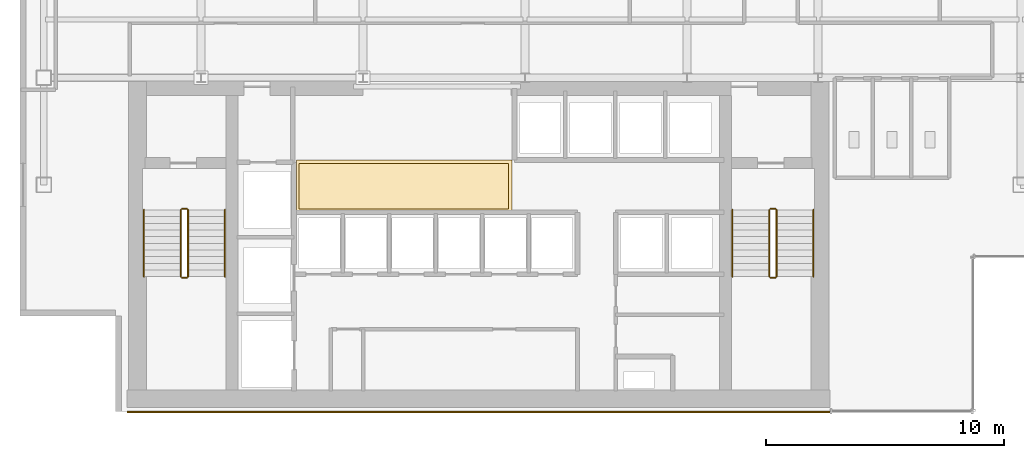
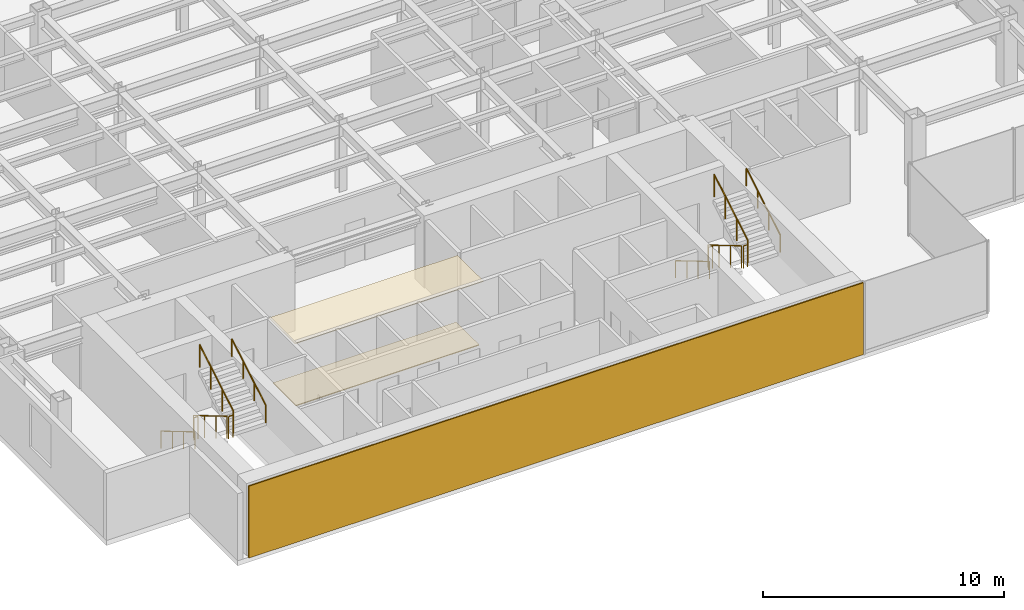
# One storey, part 17 of 19: 12 railings, 3 coverings.
"""IFC4 building model written with IfcOpenShell, lengths in metres."""

from ifc_helpers import new_model, si_unit, derived_unit, direction, frame, origin, origin_2d, place, context, subcontext, project, spatial, polyline, rectangle, circle, outline, extrude, source, transform, mapped, material, layer, layer_set, type_object, element, save


model = new_model("IFC4")

# Units and contexts
model_context = context("Model", 3, precision=1e-05, world=origin(), true_north=direction((0.0, 1.0)))
body_context = subcontext(model_context, "Body", "Model", "MODEL_VIEW")
ifc_project = project(units=[si_unit("LENGTHUNIT", "METRE"), si_unit("AREAUNIT", "SQUARE_METRE"), si_unit("VOLUMEUNIT", "CUBIC_METRE"), si_unit("PLANEANGLEUNIT", "RADIAN"), si_unit("MASSUNIT", "GRAM", prefix="KILO"), derived_unit("THERMALTRANSMITTANCEUNIT", [(si_unit("POWERUNIT", "WATT"), 1), (si_unit("LENGTHUNIT", "METRE"), -2), (si_unit("THERMODYNAMICTEMPERATUREUNIT", "KELVIN"), -1)])], contexts=[model_context])

# Site, building, storey
site_placement = place(None, origin())
site = spatial("IfcSite", under=ifc_project, at=site_placement, CompositionType="ELEMENT")
building_placement = place(site_placement, origin())
building = spatial("IfcBuilding", under=site, at=building_placement, Name="Skarnbrae Concourse Arena and Tower", CompositionType="ELEMENT")
storey_placement = place(building_placement, frame((0.0, 0.0, 180.75)))
storey = spatial("IfcBuildingStorey", under=building, at=storey_placement, Name="L46", CompositionType="ELEMENT", Elevation=180.75)

# Coverings
ifc_material_1 = material(Name="Mineral fibre acoustic ceiling tile", Category="other")
ifc_layer_1 = layer(ifc_material_1, 0.0400390625)
ifc_layer_set_1 = layer_set([ifc_layer_1], Name="Mineral fibre acoustic ceiling tile")
covering_type_1 = type_object("IfcCoveringType", Name="COV-CEIL-ACOUSTIC", PredefinedType="CEILING", material=ifc_layer_set_1)
covering_1_placement = place(storey_placement, frame((0.0, 0.0, 3.239990234375)))
element("IfcCovering", 1, at=covering_1_placement, inside=storey, type_object=covering_type_1, Name="L46 Lift lobby acoustic ceiling", PredefinedType="CEILING", context=body_context, shape_type="SweptSolid", body=[
    extrude(outline(polyline([(11.60009765625, 8.39990234375), (20.64990234375, 8.39990234375), (20.64990234375, 10.550048828125), (11.60009765625, 10.550048828125), (11.60009765625, 8.39990234375)])), origin(), (0.0, 0.0, 1.0), 0.0400390625),
])
ifc_material_2 = material(Name="Polished granite terrazzo flooring", Category="masonry")
ifc_layer_2 = layer(ifc_material_2, 0.0400390625)
ifc_layer_set_2 = layer_set([ifc_layer_2], Name="Polished granite terrazzo flooring")
covering_type_2 = type_object("IfcCoveringType", Name="COV-FLOOR-TERRAZZO", PredefinedType="FLOORING", material=ifc_layer_set_2)
covering_2_placement = place(storey_placement, origin())
element("IfcCovering", 2, at=covering_2_placement, inside=storey, type_object=covering_type_2, Name="L46 Lift lobby terrazzo flooring", PredefinedType="FLOORING", context=body_context, shape_type="SweptSolid", body=[
    extrude(outline(polyline([(11.699951171875, 8.5), (20.5, 8.5), (20.5, 10.39990234375), (11.699951171875, 10.39990234375), (11.699951171875, 8.5)])), origin(), (0.0, 0.0, 1.0), 0.0400390625),
])

# Railings
ifc_material_3 = material(Name="Steel CSA G40.21 350W", Category="steel")
railing_type_1 = type_object("IfcRailingType", Name="RAIL-HANDRAIL-900", PredefinedType="HANDRAIL", material=ifc_material_3)
railing_1_placement = place(storey_placement, frame((5.199951171875, 8.449951171875, 0.166015625)))
element("IfcRailing", 3, at=railing_1_placement, inside=storey, type_object=railing_type_1, Name="L46 ST-1 stair handrail 1", PredefinedType="HANDRAIL", context=body_context, shape_type="SweptSolid", body=[
    extrude(circle(Radius=0.02392578125, at=origin_2d()), frame((0.0, 0.0, 0.8759765625), z_axis=(0.0, -0.860339051648, 0.50972219513), x_axis=(1.0, 0.0, 0.0)), (0.0, 0.0, 1.0), 3.254638671875),
    extrude(circle(Radius=0.02099609375, at=origin_2d()), origin(), (0.0, 0.0, 1.0), 0.851806640625),
    extrude(circle(Radius=0.02099609375, at=origin_2d()), frame((0.0, -0.933349609375, 0.552978515625)), (0.0, 0.0, 1.0), 0.851806640625),
    extrude(circle(Radius=0.02099609375, at=origin_2d()), frame((0.0, -1.86669921875, 1.10595703125)), (0.0, 0.0, 1.0), 0.851806640625),
    extrude(circle(Radius=0.02099609375, at=origin_2d()), frame((0.0, -2.800048828125, 1.658935546875)), (0.0, 0.0, 1.0), 0.851806640625),
])
railing_2_placement = place(storey_placement, frame((8.60009765625, 5.64990234375, 1.990966796875)))
element("IfcRailing", 4, at=railing_2_placement, inside=storey, type_object=railing_type_1, Name="L46 ST-1 stair handrail 2", PredefinedType="HANDRAIL", context=body_context, shape_type="SweptSolid", body=[
    extrude(circle(Radius=0.02392578125, at=origin_2d()), frame((0.0, 0.0, 0.8759765625), z_axis=(0.0, 0.860339051648, 0.50972219513), x_axis=(-1.0, 0.0, 0.0)), (0.0, 0.0, 1.0), 3.254638671875),
    extrude(circle(Radius=0.02099609375, at=origin_2d()), origin(), (0.0, 0.0, 1.0), 0.851806640625),
    extrude(circle(Radius=0.02099609375, at=origin_2d()), frame((0.0, 0.933349609375, 0.552978515625)), (0.0, 0.0, 1.0), 0.851806640625),
    extrude(circle(Radius=0.02099609375, at=origin_2d()), frame((0.0, 1.86669921875, 1.10595703125)), (0.0, 0.0, 1.0), 0.851806640625),
    extrude(circle(Radius=0.02099609375, at=origin_2d()), frame((0.0, 2.800048828125, 1.658935546875)), (0.0, 0.0, 1.0), 0.851806640625),
])
railing_3_placement = place(storey_placement, frame((29.89990234375, 8.449951171875, 0.166015625)))
element("IfcRailing", 5, at=railing_3_placement, inside=storey, type_object=railing_type_1, Name="L46 ST-2 stair handrail 1", PredefinedType="HANDRAIL", context=body_context, shape_type="SweptSolid", body=[
    extrude(circle(Radius=0.02392578125, at=origin_2d()), frame((0.0, 0.0, 0.8759765625), z_axis=(0.0, -0.860339051648, 0.50972219513), x_axis=(1.0, 0.0, 0.0)), (0.0, 0.0, 1.0), 3.254638671875),
    extrude(circle(Radius=0.02099609375, at=origin_2d()), origin(), (0.0, 0.0, 1.0), 0.851806640625),
    extrude(circle(Radius=0.02099609375, at=origin_2d()), frame((0.0, -0.933349609375, 0.552978515625)), (0.0, 0.0, 1.0), 0.851806640625),
    extrude(circle(Radius=0.02099609375, at=origin_2d()), frame((0.0, -1.86669921875, 1.10595703125)), (0.0, 0.0, 1.0), 0.851806640625),
    extrude(circle(Radius=0.02099609375, at=origin_2d()), frame((0.0, -2.800048828125, 1.658935546875)), (0.0, 0.0, 1.0), 0.851806640625),
])
railing_4_placement = place(storey_placement, frame((33.300048828125, 5.64990234375, 1.990966796875)))
element("IfcRailing", 6, at=railing_4_placement, inside=storey, type_object=railing_type_1, Name="L46 ST-2 stair handrail 2", PredefinedType="HANDRAIL", context=body_context, shape_type="SweptSolid", body=[
    extrude(circle(Radius=0.02392578125, at=origin_2d()), frame((0.0, 0.0, 0.8759765625), z_axis=(0.0, 0.860339051648, 0.50972219513), x_axis=(-1.0, 0.0, 0.0)), (0.0, 0.0, 1.0), 3.254638671875),
    extrude(circle(Radius=0.02099609375, at=origin_2d()), origin(), (0.0, 0.0, 1.0), 0.851806640625),
    extrude(circle(Radius=0.02099609375, at=origin_2d()), frame((0.0, 0.933349609375, 0.552978515625)), (0.0, 0.0, 1.0), 0.851806640625),
    extrude(circle(Radius=0.02099609375, at=origin_2d()), frame((0.0, 1.86669921875, 1.10595703125)), (0.0, 0.0, 1.0), 0.851806640625),
    extrude(circle(Radius=0.02099609375, at=origin_2d()), frame((0.0, 2.800048828125, 1.658935546875)), (0.0, 0.0, 1.0), 0.851806640625),
])
railing_type_2 = type_object("IfcRailingType", Name="RAIL-STAIR-GUARD-1150", PredefinedType="GUARDRAIL", material=ifc_material_3)
railing_5_placement = place(storey_placement, frame((6.75, 8.449951171875, 0.166015625)))
element("IfcRailing", 7, at=railing_5_placement, inside=storey, type_object=railing_type_2, Name="L46 ST-1 stair guard 1", PredefinedType="GUARDRAIL", context=body_context, shape_type="SweptSolid", body=[
    extrude(circle(Radius=0.02392578125, at=origin_2d()), frame((0.0, 0.0, 1.1259765625), z_axis=(0.0, -0.860339051648, 0.50972219513), x_axis=(1.0, 0.0, 0.0)), (0.0, 0.0, 1.0), 3.254638671875),
    extrude(circle(Radius=0.02099609375, at=origin_2d()), origin(), (0.0, 0.0, 1.0), 1.101806640625),
    extrude(circle(Radius=0.02099609375, at=origin_2d()), frame((0.0, -0.933349609375, 0.552978515625)), (0.0, 0.0, 1.0), 1.101806640625),
    extrude(circle(Radius=0.02099609375, at=origin_2d()), frame((0.0, -1.86669921875, 1.10595703125)), (0.0, 0.0, 1.0), 1.101806640625),
    extrude(circle(Radius=0.02099609375, at=origin_2d()), frame((0.0, -2.800048828125, 1.658935546875)), (0.0, 0.0, 1.0), 1.101806640625),
])
railing_6_placement = place(storey_placement, frame((6.800048828125, 5.60009765625, 1.824951171875)))
element("IfcRailing", 8, at=railing_6_placement, inside=storey, type_object=railing_type_2, Name="L46 ST-1 stair guard 2", PredefinedType="GUARDRAIL", context=body_context, shape_type="SweptSolid", body=[
    extrude(circle(Radius=0.02392578125, at=origin_2d()), frame((0.0, 0.0, 1.1259765625), z_axis=(1.0, 0.0, 0.0), x_axis=(0.0, 1.0, 0.0)), (0.0, 0.0, 1.0), 0.199951171875),
    extrude(circle(Radius=0.02099609375, at=origin_2d()), origin(), (0.0, 0.0, 1.0), 1.101806640625),
    extrude(circle(Radius=0.02099609375, at=origin_2d()), frame((0.199951171875, 0.0, 0.0)), (0.0, 0.0, 1.0), 1.101806640625),
])
railing_7_placement = place(storey_placement, frame((7.050048828125, 5.64990234375, 1.990966796875)))
element("IfcRailing", 9, at=railing_7_placement, inside=storey, type_object=railing_type_2, Name="L46 ST-1 stair guard 3", PredefinedType="GUARDRAIL", context=body_context, shape_type="SweptSolid", body=[
    extrude(circle(Radius=0.02392578125, at=origin_2d()), frame((0.0, 0.0, 1.1259765625), z_axis=(0.0, 0.860339051648, 0.50972219513), x_axis=(-1.0, 0.0, 0.0)), (0.0, 0.0, 1.0), 3.254638671875),
    extrude(circle(Radius=0.02099609375, at=origin_2d()), origin(), (0.0, 0.0, 1.0), 1.101806640625),
    extrude(circle(Radius=0.02099609375, at=origin_2d()), frame((0.0, 0.933349609375, 0.552978515625)), (0.0, 0.0, 1.0), 1.101806640625),
    extrude(circle(Radius=0.02099609375, at=origin_2d()), frame((0.0, 1.86669921875, 1.10595703125)), (0.0, 0.0, 1.0), 1.101806640625),
    extrude(circle(Radius=0.02099609375, at=origin_2d()), frame((0.0, 2.800048828125, 1.658935546875)), (0.0, 0.0, 1.0), 1.101806640625),
])
railing_8_placement = place(storey_placement, frame((6.800048828125, 8.5, 0.0)))
element("IfcRailing", 10, at=railing_8_placement, inside=storey, type_object=railing_type_2, Name="L46 ST-1 stair guard 4", PredefinedType="GUARDRAIL", context=body_context, shape_type="SweptSolid", body=[
    extrude(circle(Radius=0.02392578125, at=origin_2d()), frame((0.0, 0.0, 1.1259765625), z_axis=(1.0, 0.0, 0.0), x_axis=(0.0, 1.0, 0.0)), (0.0, 0.0, 1.0), 0.199951171875),
    extrude(circle(Radius=0.02099609375, at=origin_2d()), origin(), (0.0, 0.0, 1.0), 1.101806640625),
    extrude(circle(Radius=0.02099609375, at=origin_2d()), frame((0.199951171875, 0.0, 0.0)), (0.0, 0.0, 1.0), 1.101806640625),
])
railing_9_placement = place(storey_placement, frame((31.449951171875, 8.449951171875, 0.166015625)))
element("IfcRailing", 11, at=railing_9_placement, inside=storey, type_object=railing_type_2, Name="L46 ST-2 stair guard 1", PredefinedType="GUARDRAIL", context=body_context, shape_type="SweptSolid", body=[
    extrude(circle(Radius=0.02392578125, at=origin_2d()), frame((0.0, 0.0, 1.1259765625), z_axis=(0.0, -0.860339051648, 0.50972219513), x_axis=(1.0, 0.0, 0.0)), (0.0, 0.0, 1.0), 3.254638671875),
    extrude(circle(Radius=0.02099609375, at=origin_2d()), origin(), (0.0, 0.0, 1.0), 1.101806640625),
    extrude(circle(Radius=0.02099609375, at=origin_2d()), frame((0.0, -0.933349609375, 0.552978515625)), (0.0, 0.0, 1.0), 1.101806640625),
    extrude(circle(Radius=0.02099609375, at=origin_2d()), frame((0.0, -1.86669921875, 1.10595703125)), (0.0, 0.0, 1.0), 1.101806640625),
    extrude(circle(Radius=0.02099609375, at=origin_2d()), frame((0.0, -2.800048828125, 1.658935546875)), (0.0, 0.0, 1.0), 1.101806640625),
])
railing_10_placement = place(storey_placement, frame((31.5, 5.60009765625, 1.824951171875)))
element("IfcRailing", 12, at=railing_10_placement, inside=storey, type_object=railing_type_2, Name="L46 ST-2 stair guard 2", PredefinedType="GUARDRAIL", context=body_context, shape_type="SweptSolid", body=[
    extrude(circle(Radius=0.02392578125, at=origin_2d()), frame((0.0, 0.0, 1.1259765625), z_axis=(1.0, 0.0, 0.0), x_axis=(0.0, 1.0, 0.0)), (0.0, 0.0, 1.0), 0.199951171875),
    extrude(circle(Radius=0.02099609375, at=origin_2d()), origin(), (0.0, 0.0, 1.0), 1.101806640625),
    extrude(circle(Radius=0.02099609375, at=origin_2d()), frame((0.199951171875, 0.0, 0.0)), (0.0, 0.0, 1.0), 1.101806640625),
])
railing_11_placement = place(storey_placement, frame((31.75, 5.64990234375, 1.990966796875)))
element("IfcRailing", 13, at=railing_11_placement, inside=storey, type_object=railing_type_2, Name="L46 ST-2 stair guard 3", PredefinedType="GUARDRAIL", context=body_context, shape_type="SweptSolid", body=[
    extrude(circle(Radius=0.02392578125, at=origin_2d()), frame((0.0, 0.0, 1.1259765625), z_axis=(0.0, 0.860339051648, 0.50972219513), x_axis=(-1.0, 0.0, 0.0)), (0.0, 0.0, 1.0), 3.254638671875),
    extrude(circle(Radius=0.02099609375, at=origin_2d()), origin(), (0.0, 0.0, 1.0), 1.101806640625),
    extrude(circle(Radius=0.02099609375, at=origin_2d()), frame((0.0, 0.933349609375, 0.552978515625)), (0.0, 0.0, 1.0), 1.101806640625),
    extrude(circle(Radius=0.02099609375, at=origin_2d()), frame((0.0, 1.86669921875, 1.10595703125)), (0.0, 0.0, 1.0), 1.101806640625),
    extrude(circle(Radius=0.02099609375, at=origin_2d()), frame((0.0, 2.800048828125, 1.658935546875)), (0.0, 0.0, 1.0), 1.101806640625),
])
railing_12_placement = place(storey_placement, frame((31.5, 8.5, 0.0)))
element("IfcRailing", 14, at=railing_12_placement, inside=storey, type_object=railing_type_2, Name="L46 ST-2 stair guard 4", PredefinedType="GUARDRAIL", context=body_context, shape_type="SweptSolid", body=[
    extrude(circle(Radius=0.02392578125, at=origin_2d()), frame((0.0, 0.0, 1.1259765625), z_axis=(1.0, 0.0, 0.0), x_axis=(0.0, 1.0, 0.0)), (0.0, 0.0, 1.0), 0.199951171875),
    extrude(circle(Radius=0.02099609375, at=origin_2d()), origin(), (0.0, 0.0, 1.0), 1.101806640625),
    extrude(circle(Radius=0.02099609375, at=origin_2d()), frame((0.199951171875, 0.0, 0.0)), (0.0, 0.0, 1.0), 1.101806640625),
])

# Covering
ifc_material_4 = material(Name="Bronze anodised aluminium 6063-T6", Category="aluminium")
ifc_layer_3 = layer(ifc_material_4, 0.06005859375)
ifc_layer_set_3 = layer_set([ifc_layer_3], Name="Bronze anodised aluminium 6063-T6")
covering_type_3 = type_object("IfcCoveringType", Name="COV-CLAD-BRONZE-60", PredefinedType="CLADDING", material=ifc_layer_set_3)
shared_shape = source(origin(), body_context, "Body", "SweptSolid", [
    extrude(rectangle(XDim=29.5, YDim=0.06005859375, at=origin_2d()), origin(), (0.0, 0.0, 1.0), 3.64990234375),
])
covering_3_placement = place(storey_placement, frame((19.25, -0.030029296875, 0.0), z_axis=(0.0, 0.0, 1.0), x_axis=(1.0, 0.0, 0.0)))
element("IfcCovering", 15, at=covering_3_placement, inside=storey, type_object=covering_type_3, Name="L46 Rear-core plumb spine bronze rainscreen panel", PredefinedType="CLADDING", context=body_context, shape_type="MappedRepresentation", body=[
    mapped(shared_shape, transform((0.0, 0.0, 0.0))),
])

save(model, "model.ifc")
